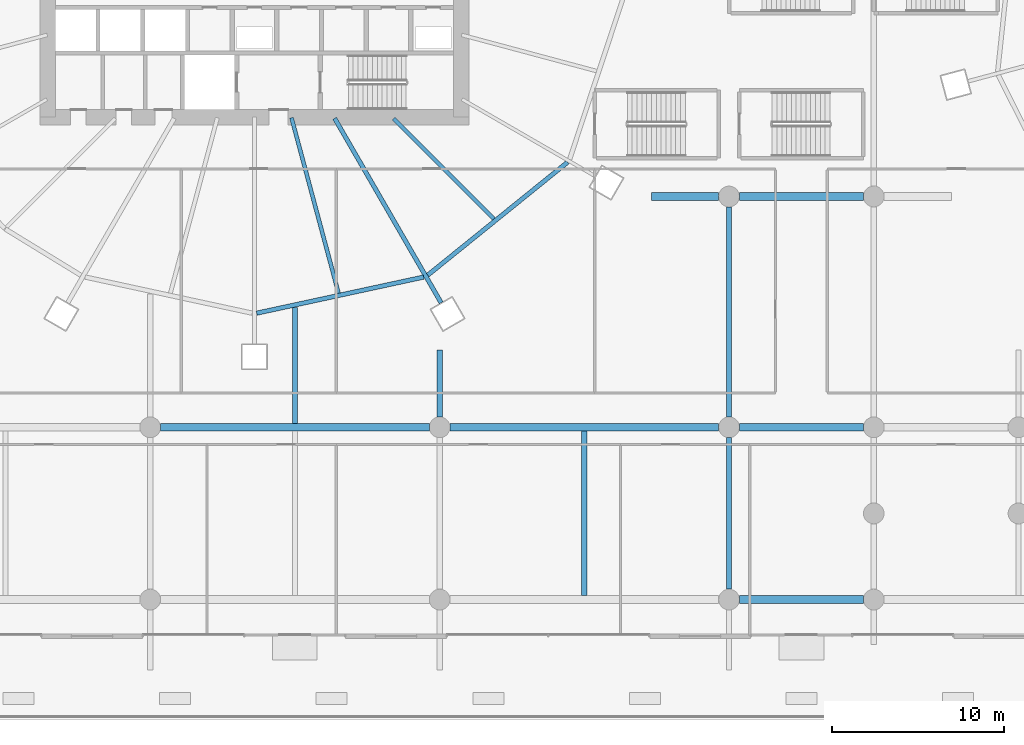
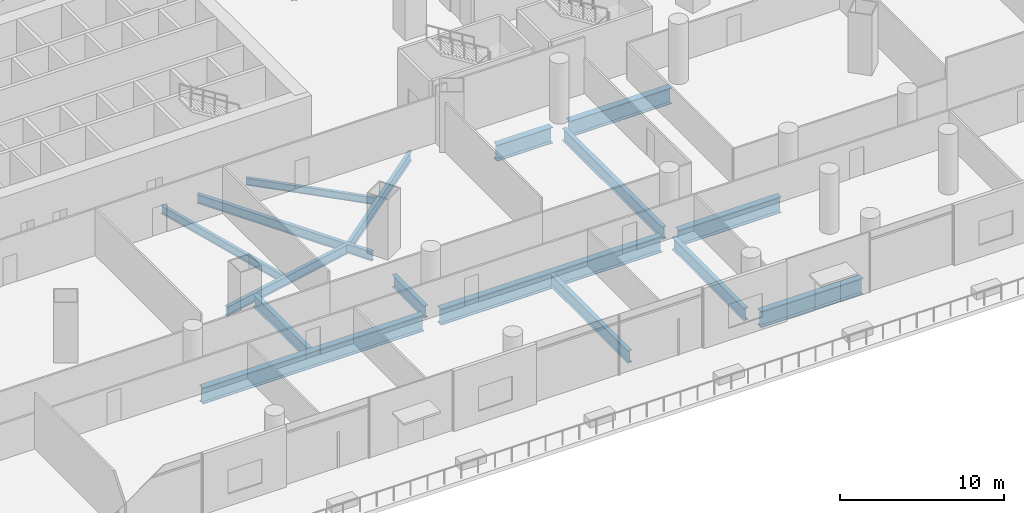
# One storey, part 6 of 43: 16 beams.
"""IFC4 building model written with IfcOpenShell, lengths in metres."""

from ifc_helpers import new_model, si_unit, direction, frame, origin, origin_2d, place, context, subcontext, project, spatial, i_section, extrude, material, material_profile, profile_set, type_object, element, save


model = new_model("IFC4")

# Units and contexts
model_context = context("Model", 3, precision=1e-05, world=origin(), true_north=direction((0.0, 1.0)))
body_context = subcontext(model_context, "Body", "Model", "MODEL_VIEW")
ifc_project = project(units=[si_unit("LENGTHUNIT", "METRE"), si_unit("AREAUNIT", "SQUARE_METRE"), si_unit("VOLUMEUNIT", "CUBIC_METRE"), si_unit("PLANEANGLEUNIT", "RADIAN"), si_unit("MASSUNIT", "GRAM", prefix="KILO")], contexts=[model_context])

# Site, building, storey
site_placement = place(None, origin())
site = spatial("IfcSite", under=ifc_project, at=site_placement, CompositionType="ELEMENT")
building_placement = place(site_placement, origin())
building = spatial("IfcBuilding", under=site, at=building_placement, Name="Rimbun Link Towers", CompositionType="ELEMENT")
storey_placement = place(building_placement, frame((0.0, 0.0, 12.0)))
storey = spatial("IfcBuildingStorey", under=building, at=storey_placement, Name="L02", CompositionType="ELEMENT", Elevation=12.0)

# Beams
ifc_material_1 = material(Name="Steel S355J2", Category="steel")
ifc_material_profile_1 = material_profile(ifc_material_1, i_section(OverallWidth=0.449951171875, OverallDepth=1.199951171875, WebThickness=0.030029296875, FlangeThickness=0.044921875, at=origin_2d()), Name="PG 1200x450x30/45")
ifc_profile_set_1 = profile_set([ifc_material_profile_1], Name="Steel S355J2")
beam_type_1 = type_object("IfcBeamType", Name="PG 1200x450x30/45", PredefinedType="BEAM", material=ifc_profile_set_1)
beam_1_placement = place(storey_placement, frame((-3.60009765625, -36.0, -0.89990234375), z_axis=(1.0, 0.0, 0.0), x_axis=(0.0, 1.0, 0.0)))
element("IfcBeam", 1, at=beam_1_placement, inside=storey, type_object=beam_type_1, Name="Grid beam L02 -36.0", PredefinedType="BEAM", context=body_context, shape_type="SweptSolid", body=[
    extrude(i_section(OverallWidth=0.449951171875, OverallDepth=1.199951171875, WebThickness=0.030029296875, FlangeThickness=0.044921875, at=origin_2d()), origin(), (0.0, 0.0, 1.0), 7.2001953125),
])
for number, where, z_axis, x_axis, name in (
    (2, (-37.199951171875, -26.0, -0.89990234375), (1.0, 0.0, 0.0), (0.0, 1.0, 0.0), "Grid beam L02 -26.0"),
    (3, (-20.39990234375, -26.0, -0.89990234375), (1.0, 0.0, 0.0), (0.0, 1.0, 0.0), "Grid beam L02 -26.0"),
):
    element("IfcBeam", number, at=place(storey_placement, frame(where, z_axis=z_axis, x_axis=x_axis)), inside=storey, type_object=beam_type_1, Name=name, PredefinedType="BEAM", context=body_context, shape_type="SweptSolid", body=[
        extrude(i_section(OverallWidth=0.449951171875, OverallDepth=1.199951171875, WebThickness=0.030029296875, FlangeThickness=0.044921875, at=origin_2d()), origin(), (0.0, 0.0, 1.0), 15.599853515625),
    ])
beam_2_placement = place(storey_placement, frame((-3.60009765625, -26.0, -0.89990234375), z_axis=(1.0, 0.0, 0.0), x_axis=(0.0, 1.0, 0.0)))
element("IfcBeam", 4, at=beam_2_placement, inside=storey, type_object=beam_type_1, Name="Grid beam L02 -26.0", PredefinedType="BEAM", context=body_context, shape_type="SweptSolid", body=[
    extrude(i_section(OverallWidth=0.449951171875, OverallDepth=1.199951171875, WebThickness=0.030029296875, FlangeThickness=0.044921875, at=origin_2d()), origin(), (0.0, 0.0, 1.0), 7.2001953125),
])
beam_3_placement = place(storey_placement, frame((-8.699951171875, -12.60009765625, -0.89990234375), z_axis=(1.0, 0.0, 0.0), x_axis=(0.0, 1.0, 0.0)))
element("IfcBeam", 5, at=beam_3_placement, inside=storey, type_object=beam_type_1, Name="Grid beam L02 -12.6", PredefinedType="BEAM", context=body_context, shape_type="SweptSolid", body=[
    extrude(i_section(OverallWidth=0.449951171875, OverallDepth=1.199951171875, WebThickness=0.030029296875, FlangeThickness=0.044921875, at=origin_2d()), origin(), (0.0, 0.0, 1.0), 3.89990234375),
])
beam_4_placement = place(storey_placement, frame((-3.60009765625, -12.60009765625, -0.89990234375), z_axis=(1.0, 0.0, 0.0), x_axis=(0.0, 1.0, 0.0)))
element("IfcBeam", 6, at=beam_4_placement, inside=storey, type_object=beam_type_1, Name="Grid beam L02 -12.6", PredefinedType="BEAM", context=body_context, shape_type="SweptSolid", body=[
    extrude(i_section(OverallWidth=0.449951171875, OverallDepth=1.199951171875, WebThickness=0.030029296875, FlangeThickness=0.044921875, at=origin_2d()), origin(), (0.0, 0.0, 1.0), 7.2001953125),
])
ifc_material_2 = material(Name="Steel S355J2", Category="steel")
ifc_material_profile_2 = material_profile(ifc_material_2, i_section(OverallWidth=0.209228515625, OverallDepth=0.533203125, WebThickness=0.010009765625, FlangeThickness=0.015625, at=origin_2d()), Name="UB 533x210x92")
ifc_profile_set_2 = profile_set([ifc_material_profile_2], Name="Steel S355J2")
beam_type_2 = type_object("IfcBeamType", Name="UB 533x210x92", PredefinedType="BEAM", material=ifc_profile_set_2)
beam_5_placement = place(storey_placement, frame((-23.67529296875, -8.07470703125, -0.566650390625), z_axis=(0.707106781187, -0.707106781187, 0.0), x_axis=(0.707106781187, 0.707106781187, 0.0)))
element("IfcBeam", 7, at=beam_5_placement, inside=storey, type_object=beam_type_2, Name="Radial beam T1 L02 21", PredefinedType="BEAM", context=body_context, shape_type="SweptSolid", body=[
    extrude(i_section(OverallWidth=0.209228515625, OverallDepth=0.533203125, WebThickness=0.010009765625, FlangeThickness=0.015625, at=origin_2d()), origin(), (0.0, 0.0, 1.0), 8.239501953125),
])
ifc_material_3 = material(Name="Steel S355J2", Category="steel")
ifc_material_profile_3 = material_profile(ifc_material_3, i_section(OverallWidth=0.2275390625, OverallDepth=0.6025390625, WebThickness=0.010498046875, FlangeThickness=0.014892578125, at=origin_2d()), Name="UB 610x229x101")
ifc_profile_set_3 = profile_set([ifc_material_profile_3], Name="Steel S355J2")
beam_type_3 = type_object("IfcBeamType", Name="UB 610x229x101", PredefinedType="BEAM", material=ifc_profile_set_3)
beam_6_placement = place(storey_placement, frame((-29.598388671875, -8.030517578125, -0.601318359375), z_axis=(0.258844096103, -0.965919113545, 0.0), x_axis=(0.965919113545, 0.258844096103, 0.0)))
element("IfcBeam", 8, at=beam_6_placement, inside=storey, type_object=beam_type_3, Name="Radial beam T1 L02 19", PredefinedType="BEAM", context=body_context, shape_type="SweptSolid", body=[
    extrude(i_section(OverallWidth=0.2275390625, OverallDepth=0.6025390625, WebThickness=0.010498046875, FlangeThickness=0.014892578125, at=origin_2d()), origin(), (0.0, 0.0, 1.0), 10.544921875),
])
ifc_material_4 = material(Name="Steel S355J2", Category="steel")
ifc_material_profile_4 = material_profile(ifc_material_4, i_section(OverallWidth=0.253662109375, OverallDepth=0.68359375, WebThickness=0.012451171875, FlangeThickness=0.01904296875, at=origin_2d()), Name="UB 686x254x140")
ifc_profile_set_4 = profile_set([ifc_material_profile_4], Name="Steel S355J2")
beam_type_4 = type_object("IfcBeamType", Name="UB 686x254x140", PredefinedType="BEAM", material=ifc_profile_set_4)
beam_7_placement = place(storey_placement, frame((-27.093994140625, -8.064208984375, -0.641845703125), z_axis=(0.499992594562, -0.866029679274, 0.0), x_axis=(0.866029679274, 0.499992594562, 0.0)))
element("IfcBeam", 9, at=beam_7_placement, inside=storey, type_object=beam_type_4, Name="Radial beam T1 L02 20", PredefinedType="BEAM", context=body_context, shape_type="SweptSolid", body=[
    extrude(i_section(OverallWidth=0.253662109375, OverallDepth=0.68359375, WebThickness=0.012451171875, FlangeThickness=0.01904296875, at=origin_2d()), origin(), (0.0, 0.0, 1.0), 12.360595703125),
])
beam_8_placement = place(storey_placement, frame((-31.622314453125, -19.375244140625, -0.641845703125), z_axis=(0.977390124833, 0.211443949734, 0.0), x_axis=(-0.211443949734, 0.977390124833, 0.0)))
element("IfcBeam", 10, at=beam_8_placement, inside=storey, type_object=beam_type_4, Name="Edge beam T1 L02 18-20", PredefinedType="BEAM", context=body_context, shape_type="SweptSolid", body=[
    extrude(i_section(OverallWidth=0.253662109375, OverallDepth=0.68359375, WebThickness=0.012451171875, FlangeThickness=0.01904296875, at=origin_2d()), origin(), (0.0, 0.0, 1.0), 9.924072265625),
])
beam_9_placement = place(storey_placement, frame((-21.69091796875, -17.167236328125, -0.641845703125), z_axis=(0.778006680284, 0.628256003102, 0.0), x_axis=(-0.628256003102, 0.778006680284, 0.0)))
element("IfcBeam", 11, at=beam_9_placement, inside=storey, type_object=beam_type_4, Name="Edge beam T1 L02 20-22", PredefinedType="BEAM", context=body_context, shape_type="SweptSolid", body=[
    extrude(i_section(OverallWidth=0.253662109375, OverallDepth=0.68359375, WebThickness=0.012451171875, FlangeThickness=0.01904296875, at=origin_2d()), origin(), (0.0, 0.0, 1.0), 10.4404296875),
])
ifc_material_5 = material(Name="Steel S355J2", Category="steel")
ifc_material_profile_5 = material_profile(ifc_material_5, i_section(OverallWidth=0.305419921875, OverallDepth=0.91845703125, WebThickness=0.017333984375, FlangeThickness=0.02783203125, at=origin_2d()), Name="UB 914x305x253")
ifc_profile_set_5 = profile_set([ifc_material_profile_5], Name="Steel S355J2")
beam_type_5 = type_object("IfcBeamType", Name="UB 914x305x253", PredefinedType="BEAM", material=ifc_profile_set_5)
beam_10_placement = place(storey_placement, frame((-29.39990234375, -25.77490234375, -0.75927734375), z_axis=(0.0, 1.0, 0.0), x_axis=(-1.0, 0.0, 0.0)))
element("IfcBeam", 12, at=beam_10_placement, inside=storey, type_object=beam_type_5, Name="Grid beam L02 -29.4", PredefinedType="BEAM", context=body_context, shape_type="SweptSolid", body=[
    extrude(i_section(OverallWidth=0.305419921875, OverallDepth=0.91845703125, WebThickness=0.017333984375, FlangeThickness=0.02783203125, at=origin_2d()), origin(), (0.0, 0.0, 1.0), 6.716552734375),
])
beam_11_placement = place(storey_placement, frame((-21.0, -25.39990234375, -0.75927734375), z_axis=(0.0, 1.0, 0.0), x_axis=(-1.0, 0.0, 0.0)))
element("IfcBeam", 13, at=beam_11_placement, inside=storey, type_object=beam_type_5, Name="Grid beam L02 -21.0", PredefinedType="BEAM", context=body_context, shape_type="SweptSolid", body=[
    extrude(i_section(OverallWidth=0.305419921875, OverallDepth=0.91845703125, WebThickness=0.017333984375, FlangeThickness=0.02783203125, at=origin_2d()), origin(), (0.0, 0.0, 1.0), 3.89990234375),
])
beam_12_placement = place(storey_placement, frame((-12.60009765625, -35.77490234375, -0.75927734375), z_axis=(0.0, 1.0, 0.0), x_axis=(-1.0, 0.0, 0.0)))
element("IfcBeam", 14, at=beam_12_placement, inside=storey, type_object=beam_type_5, Name="Grid beam L02 -12.6", PredefinedType="BEAM", context=body_context, shape_type="SweptSolid", body=[
    extrude(i_section(OverallWidth=0.305419921875, OverallDepth=0.91845703125, WebThickness=0.017333984375, FlangeThickness=0.02783203125, at=origin_2d()), origin(), (0.0, 0.0, 1.0), 9.5498046875),
])
beam_13_placement = place(storey_placement, frame((-4.199951171875, -35.39990234375, -0.75927734375), z_axis=(0.0, 1.0, 0.0), x_axis=(-1.0, 0.0, 0.0)))
element("IfcBeam", 15, at=beam_13_placement, inside=storey, type_object=beam_type_5, Name="Grid beam L02 -4.2", PredefinedType="BEAM", context=body_context, shape_type="SweptSolid", body=[
    extrude(i_section(OverallWidth=0.305419921875, OverallDepth=0.91845703125, WebThickness=0.017333984375, FlangeThickness=0.02783203125, at=origin_2d()), origin(), (0.0, 0.0, 1.0), 8.7998046875),
])
beam_14_placement = place(storey_placement, frame((-4.199951171875, -25.39990234375, -0.75927734375), z_axis=(0.0, 1.0, 0.0), x_axis=(-1.0, 0.0, 0.0)))
element("IfcBeam", 16, at=beam_14_placement, inside=storey, type_object=beam_type_5, Name="Grid beam L02 -4.2", PredefinedType="BEAM", context=body_context, shape_type="SweptSolid", body=[
    extrude(i_section(OverallWidth=0.305419921875, OverallDepth=0.91845703125, WebThickness=0.017333984375, FlangeThickness=0.02783203125, at=origin_2d()), origin(), (0.0, 0.0, 1.0), 12.199951171875),
])

save(model, "model.ifc")
